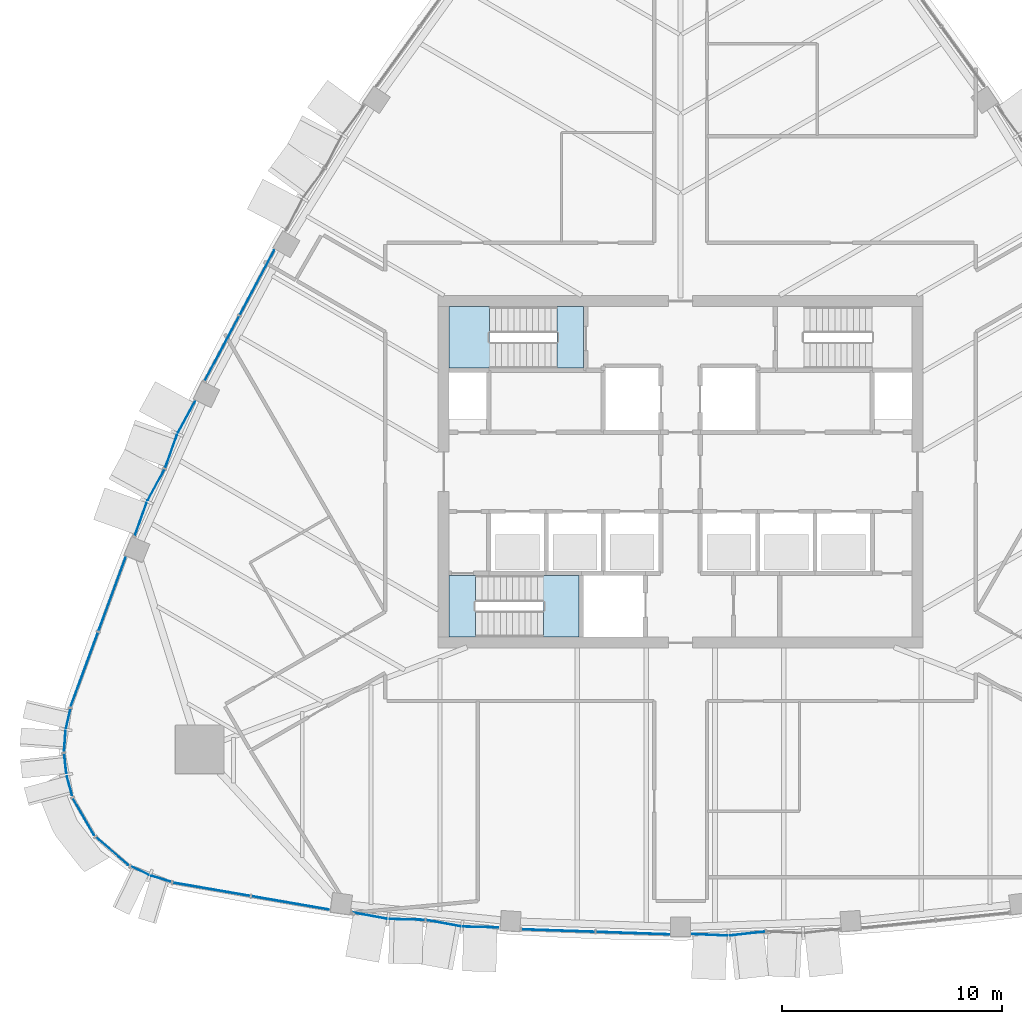
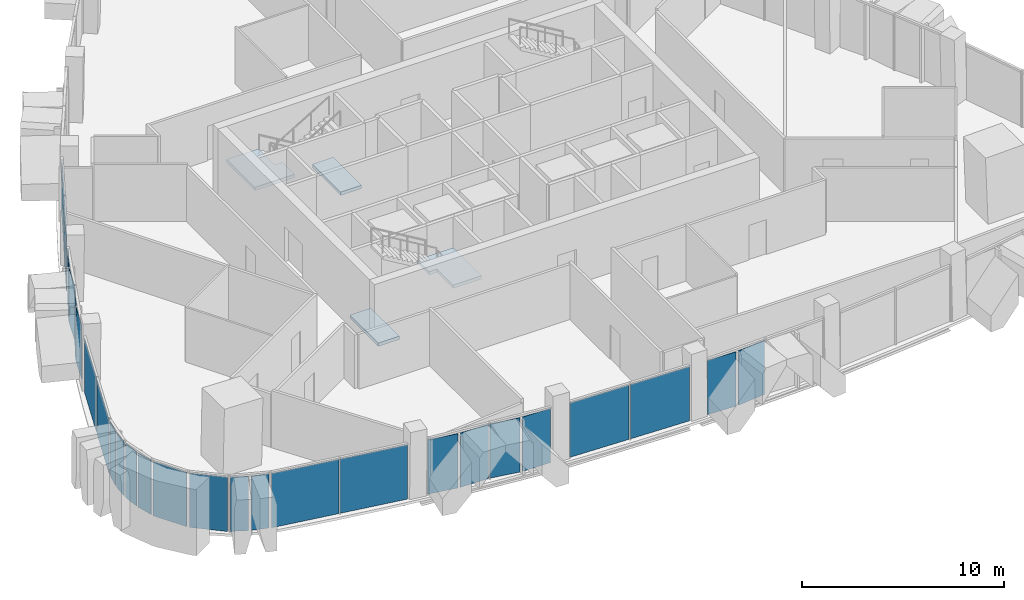
# One storey, part 8 of 18: 26 plates, 4 slabs, 14 elements without a shape of their own.
"""IFC4 building model written with IfcOpenShell, lengths in metres."""

from ifc_helpers import new_model, si_unit, direction, frame, origin, origin_2d, place, context, subcontext, project, spatial, polyline, rectangle, outline, extrude, material, layer, layer_set, type_object, element, aggregate, save


model = new_model("IFC4")

# Units and contexts
model_context = context("Model", 3, precision=1e-05, world=origin(), true_north=direction((0.0, 1.0)))
body_context = subcontext(model_context, "Body", "Model", "MODEL_VIEW")
ifc_project = project(units=[si_unit("LENGTHUNIT", "METRE"), si_unit("AREAUNIT", "SQUARE_METRE"), si_unit("VOLUMEUNIT", "CUBIC_METRE"), si_unit("PLANEANGLEUNIT", "RADIAN"), si_unit("MASSUNIT", "GRAM", prefix="KILO")], contexts=[model_context])

# Site, building, storey
site_placement = place(None, origin())
site = spatial("IfcSite", under=ifc_project, at=site_placement, CompositionType="ELEMENT")
building_placement = place(site_placement, origin())
building = spatial("IfcBuilding", under=site, at=building_placement, Name="Sierra Prisma Convention Tower", CompositionType="ELEMENT")
storey_placement = place(building_placement, frame((0.0, 0.0, 247.0)))
storey = spatial("IfcBuildingStorey", under=building, at=storey_placement, Name="L55", CompositionType="ELEMENT", Elevation=247.0)

# Curtain wall, plates
ifc_material_1 = material(Name="Aluminium and glass curtain wall", Category="aluminium")
ifc_layer_1 = layer(ifc_material_1, 0.179931640625)
ifc_layer_set_1 = layer_set([ifc_layer_1], Name="CW-1 Plain shaft curtain wall")
curtain_wall_type_1 = type_object("IfcCurtainWallType", Name="CW-1 Plain shaft curtain wall", PredefinedType="NOTDEFINED", material=ifc_layer_set_1)
curtain_wall_1_placement = place(storey_placement, origin())
curtain_wall_1 = element("IfcCurtainWall", 1, at=curtain_wall_1_placement, inside=storey, type_object=curtain_wall_type_1, Name="CW-1 S1 L55", PredefinedType="NOTDEFINED")
ifc_material_2 = material(Name="Tinted glass bronze-grey IGU", Category="glass")
ifc_layer_2 = layer(ifc_material_2, 0.028076171875)
ifc_layer_set_2 = layer_set([ifc_layer_2], Name="CW-1 glass panel")
plate_type_1 = type_object("IfcPlateType", Name="CW-1 glass panel", PredefinedType="CURTAIN_PANEL", material=ifc_layer_set_2)
plate_1_placement = place(storey_placement, frame((-21.281982421875, -18.947509765625, 0.0), z_axis=(0.0, 0.0, 1.0), x_axis=(0.985443101257, -0.170005571044, 0.0)))
plate_1 = element("IfcPlate", 2, at=plate_1_placement, type_object=plate_type_1, Name="CW-1 panel S1.1", PredefinedType="CURTAIN_PANEL", context=body_context, shape_type="SweptSolid", body=[
    extrude(rectangle(XDim=3.546142578125, YDim=0.028076171875, at=origin_2d()), origin(), (0.0, 0.0, 1.0), 3.280029296875),
])
plate_2_placement = place(storey_placement, frame((-17.718505859375, -19.562255859375, 0.0), z_axis=(0.0, 0.0, 1.0), x_axis=(0.985443101257, -0.170005571044, 0.0)))
plate_2 = element("IfcPlate", 3, at=plate_2_placement, type_object=plate_type_1, Name="CW-1 panel S1.2", PredefinedType="CURTAIN_PANEL", context=body_context, shape_type="SweptSolid", body=[
    extrude(rectangle(XDim=3.546142578125, YDim=0.028076171875, at=origin_2d()), origin(), (0.0, 0.0, 1.0), 3.280029296875),
])
aggregate(curtain_wall_1, [plate_1, plate_2])

curtain_wall_2_placement = place(storey_placement, origin())
curtain_wall_2 = element("IfcCurtainWall", 4, at=curtain_wall_2_placement, inside=storey, type_object=curtain_wall_type_1, Name="CW-1 S3 L55", PredefinedType="NOTDEFINED")
plate_3_placement = place(storey_placement, frame((-5.55908203125, -20.820068359375, 0.0), z_axis=(0.0, 0.0, 1.0), x_axis=(0.999416362633, -0.034160417179, 0.0)))
plate_3 = element("IfcPlate", 5, at=plate_3_placement, type_object=plate_type_1, Name="CW-1 panel S3.1", PredefinedType="CURTAIN_PANEL", context=body_context, shape_type="SweptSolid", body=[
    extrude(rectangle(XDim=3.31494140625, YDim=0.028076171875, at=origin_2d()), origin(), (0.0, 0.0, 1.0), 3.280029296875),
])
plate_4_placement = place(storey_placement, frame((-2.17626953125, -20.935546875, 0.0), z_axis=(0.0, 0.0, 1.0), x_axis=(0.999416362633, -0.034160417179, 0.0)))
plate_4 = element("IfcPlate", 6, at=plate_4_placement, type_object=plate_type_1, Name="CW-1 panel S3.2", PredefinedType="CURTAIN_PANEL", context=body_context, shape_type="SweptSolid", body=[
    extrude(rectangle(XDim=3.31494140625, YDim=0.028076171875, at=origin_2d()), origin(), (0.0, 0.0, 1.0), 3.280029296875),
])
aggregate(curtain_wall_2, [plate_3, plate_4])

curtain_wall_3_placement = place(storey_placement, origin())
curtain_wall_3 = element("IfcCurtainWall", 7, at=curtain_wall_3_placement, inside=storey, type_object=curtain_wall_type_1, Name="CW-1 NW4 L55", PredefinedType="NOTDEFINED")
plate_5_placement = place(storey_placement, frame((-19.21875, 8.583251953125, 0.0), z_axis=(0.0, 0.0, 1.0), x_axis=(-0.470124392235, -0.882600167587, 0.0)))
plate_5 = element("IfcPlate", 8, at=plate_5_placement, type_object=plate_type_1, Name="CW-1 panel NW4.1", PredefinedType="CURTAIN_PANEL", context=body_context, shape_type="SweptSolid", body=[
    extrude(rectangle(XDim=3.31494140625, YDim=0.028076171875, at=origin_2d()), origin(), (0.0, 0.0, 1.0), 3.280029296875),
])
plate_6_placement = place(storey_placement, frame((-20.810302734375, 5.595703125, 0.0), z_axis=(0.0, 0.0, 1.0), x_axis=(-0.470124392235, -0.882600167587, 0.0)))
plate_6 = element("IfcPlate", 9, at=plate_6_placement, type_object=plate_type_1, Name="CW-1 panel NW4.2", PredefinedType="CURTAIN_PANEL", context=body_context, shape_type="SweptSolid", body=[
    extrude(rectangle(XDim=3.31494140625, YDim=0.028076171875, at=origin_2d()), origin(), (0.0, 0.0, 1.0), 3.280029296875),
])
aggregate(curtain_wall_3, [plate_5, plate_6])

curtain_wall_4_placement = place(storey_placement, origin())
curtain_wall_4 = element("IfcCurtainWall", 10, at=curtain_wall_4_placement, inside=storey, type_object=curtain_wall_type_1, Name="CW-1 NW6 L55", PredefinedType="NOTDEFINED")
plate_7_placement = place(storey_placement, frame((-25.800537109375, -5.563720703125, 0.0), z_axis=(0.0, 0.0, 1.0), x_axis=(-0.34549240732, -0.938421545194, 0.0)))
plate_7 = element("IfcPlate", 11, at=plate_7_placement, type_object=plate_type_1, Name="CW-1 panel NW6.1", PredefinedType="CURTAIN_PANEL", context=body_context, shape_type="SweptSolid", body=[
    extrude(rectangle(XDim=3.546142578125, YDim=0.028076171875, at=origin_2d()), origin(), (0.0, 0.0, 1.0), 3.280029296875),
])
plate_8_placement = place(storey_placement, frame((-27.0498046875, -8.95703125, 0.0), z_axis=(0.0, 0.0, 1.0), x_axis=(-0.34549240732, -0.938421545194, 0.0)))
plate_8 = element("IfcPlate", 12, at=plate_8_placement, type_object=plate_type_1, Name="CW-1 panel NW6.2", PredefinedType="CURTAIN_PANEL", context=body_context, shape_type="SweptSolid", body=[
    extrude(rectangle(XDim=3.546142578125, YDim=0.028076171875, at=origin_2d()), origin(), (0.0, 0.0, 1.0), 3.280029296875),
])
aggregate(curtain_wall_4, [plate_7, plate_8])

# Curtain wall, plate
curtain_wall_5_placement = place(storey_placement, origin())
curtain_wall_5 = element("IfcCurtainWall", 13, at=curtain_wall_5_placement, inside=storey, type_object=curtain_wall_type_1, Name="CW-1 SW3 L55", PredefinedType="NOTDEFINED")
plate_9_placement = place(storey_placement, frame((-27.096923828125, -15.644287109375, 0.0), z_axis=(0.0, 0.0, 1.0), x_axis=(0.5, -0.866025403784, 0.0)))
plate_9 = element("IfcPlate", 14, at=plate_9_placement, type_object=plate_type_1, Name="CW-1 panel SW3.1", PredefinedType="CURTAIN_PANEL", context=body_context, shape_type="SweptSolid", body=[
    extrude(rectangle(XDim=1.922119140625, YDim=0.028076171875, at=origin_2d()), origin(), (0.0, 0.0, 1.0), 3.280029296875),
])
aggregate(curtain_wall_5, [plate_9])

curtain_wall_6_placement = place(storey_placement, origin())
curtain_wall_6 = element("IfcCurtainWall", 15, at=curtain_wall_6_placement, inside=storey, type_object=curtain_wall_type_1, Name="CW-1 SW4 L55", PredefinedType="NOTDEFINED")
plate_10_placement = place(storey_placement, frame((-25.799560546875, -17.20947265625, 0.0), z_axis=(0.0, 0.0, 1.0), x_axis=(0.758153585853, -0.652076023373, 0.0)))
plate_10 = element("IfcPlate", 16, at=plate_10_placement, type_object=plate_type_1, Name="CW-1 panel SW4.1", PredefinedType="CURTAIN_PANEL", context=body_context, shape_type="SweptSolid", body=[
    extrude(rectangle(XDim=1.922119140625, YDim=0.028076171875, at=origin_2d()), origin(), (0.0, 0.0, 1.0), 3.280029296875),
])
aggregate(curtain_wall_6, [plate_10])

# Curtain wall, plates
ifc_material_3 = material(Name="Aluminium and glass curtain wall", Category="aluminium")
ifc_layer_3 = layer(ifc_material_3, 0.179931640625)
ifc_layer_set_3 = layer_set([ifc_layer_3], Name="CW-2 Faceted crystal curtain wall")
curtain_wall_type_2 = type_object("IfcCurtainWallType", Name="CW-2 Faceted crystal curtain wall", PredefinedType="NOTDEFINED", material=ifc_layer_set_3)
curtain_wall_7_placement = place(storey_placement, origin())
curtain_wall_7 = element("IfcCurtainWall", 17, at=curtain_wall_7_placement, inside=storey, type_object=curtain_wall_type_2, Name="CW-2 S2 L55", PredefinedType="NOTDEFINED")
ifc_material_4 = material(Name="Tinted glass bronze-grey IGU", Category="glass")
ifc_layer_4 = layer(ifc_material_4, 0.028076171875)
ifc_layer_set_4 = layer_set([ifc_layer_4], Name="CW-2 crystal pane")
plate_type_2 = type_object("IfcPlateType", Name="CW-2 crystal pane", PredefinedType="CURTAIN_PANEL", material=ifc_layer_set_4)
plate_11_placement = place(storey_placement, frame((-14.897705078125, -20.009765625, 0.0), z_axis=(-0.180020739993, -0.983662814776, 0.0), x_axis=(0.983662814776, -0.180020739993, 0.0)))
plate_11 = element("IfcPlate", 18, at=plate_11_placement, type_object=plate_type_2, Name="CW-2 pane S2.1.1", PredefinedType="CURTAIN_PANEL", context=body_context, shape_type="SweptSolid", body=[
    extrude(outline(polyline([(0.0, 0.0), (1.58944359694705, 0.0), (1.58944359694705, 3.280029296875), (0.0, 3.280029296875), (0.0, 0.0)])), origin(), (0.0, 0.0, -1.0), 0.028076171875),
])
plate_12_placement = place(storey_placement, frame((-11.6162109375, -20.34716796875, 0.0), z_axis=(-0.023959934775, -0.999712919555, 0.0), x_axis=(-0.999712919555, 0.023959934775, 0.0)))
plate_12 = element("IfcPlate", 19, at=plate_12_placement, type_object=plate_type_2, Name="CW-2 pane S2.1.2", PredefinedType="CURTAIN_PANEL", context=body_context, shape_type="SweptSolid", body=[
    extrude(outline(polyline([(0.0, 0.0), (1.5895676619164267, 0.0), (1.5895676619164267, -3.280029296875), (0.0, -3.280029296875), (0.0, 0.0)])), origin(), (0.0, 0.0, -1.0), 0.028076171875),
])
plate_13_placement = place(storey_placement, frame((-11.54638671875, -20.3544921875, 0.0), z_axis=(-0.180020739993, -0.983662814776, 0.0), x_axis=(0.983662814776, -0.180020739993, 0.0)))
plate_13 = element("IfcPlate", 20, at=plate_13_placement, type_object=plate_type_2, Name="CW-2 pane S2.2.1", PredefinedType="CURTAIN_PANEL", context=body_context, shape_type="SweptSolid", body=[
    extrude(outline(polyline([(0.0, 0.0), (1.58944359694705, 0.0), (1.58944359694705, 3.280029296875), (0.0, 3.280029296875), (0.0, 0.0)])), origin(), (0.0, 0.0, -1.0), 0.028076171875),
])
plate_14_placement = place(storey_placement, frame((-8.264892578125, -20.69189453125, 0.0), z_axis=(-0.023959934775, -0.999712919555, 0.0), x_axis=(-0.999712919555, 0.023959934775, 0.0)))
plate_14 = element("IfcPlate", 21, at=plate_14_placement, type_object=plate_type_2, Name="CW-2 pane S2.2.2", PredefinedType="CURTAIN_PANEL", context=body_context, shape_type="SweptSolid", body=[
    extrude(outline(polyline([(0.0, 0.0), (1.5895676619164267, 0.0), (1.5895676619164267, -3.280029296875), (0.0, -3.280029296875), (0.0, 0.0)])), origin(), (0.0, 0.0, -1.0), 0.028076171875),
])
aggregate(curtain_wall_7, [plate_11, plate_12, plate_13, plate_14])

curtain_wall_8_placement = place(storey_placement, origin())
curtain_wall_8 = element("IfcCurtainWall", 22, at=curtain_wall_8_placement, inside=storey, type_object=curtain_wall_type_2, Name="CW-2 S4 L55", PredefinedType="NOTDEFINED")
plate_15_placement = place(storey_placement, frame((0.519775390625, -20.9921875, 0.0), z_axis=(-0.044319267458, -0.999017418533, 0.0), x_axis=(0.999017418533, -0.044319267458, 0.0)))
plate_15 = element("IfcPlate", 23, at=plate_15_placement, type_object=plate_type_2, Name="CW-2 pane S4.1.1", PredefinedType="CURTAIN_PANEL", context=body_context, shape_type="SweptSolid", body=[
    extrude(outline(polyline([(0.0, 0.0), (1.5975169561796596, 0.0), (1.5975169561796596, 3.280029296875), (0.0, 3.280029296875), (0.0, 0.0)])), origin(), (0.0, 0.0, -1.0), 0.028076171875),
])
plate_16_placement = place(storey_placement, frame((3.832763671875, -20.87890625, 0.0), z_axis=(0.11246054992, -0.993656190396, 0.0), x_axis=(-0.993656190396, -0.11246054992, 0.0)))
plate_16 = element("IfcPlate", 24, at=plate_16_placement, type_object=plate_type_2, Name="CW-2 pane S4.1.2", PredefinedType="CURTAIN_PANEL", context=body_context, shape_type="SweptSolid", body=[
    extrude(outline(polyline([(0.0, 0.0), (1.5977825124229352, 0.0), (1.5977825124229352, -3.280029296875001), (0.0, -3.280029296875001), (0.0, 0.0)])), origin(), (0.0, 0.0, -1.0), 0.028076171875),
])
aggregate(curtain_wall_8, [plate_15, plate_16])

curtain_wall_9_placement = place(storey_placement, origin())
curtain_wall_9 = element("IfcCurtainWall", 25, at=curtain_wall_9_placement, inside=storey, type_object=curtain_wall_type_2, Name="CW-2 NW5 L55", PredefinedType="NOTDEFINED")
plate_17_placement = place(storey_placement, frame((-22.05224609375, 3.1884765625, 0.0), z_axis=(-0.877784022973, 0.479056582267, 0.0), x_axis=(-0.479056582267, -0.877784022973, 0.0)))
plate_17 = element("IfcPlate", 26, at=plate_17_placement, type_object=plate_type_2, Name="CW-2 pane NW5.1.1", PredefinedType="CURTAIN_PANEL", context=body_context, shape_type="SweptSolid", body=[
    extrude(outline(polyline([(0.0, 0.0), (1.5895295828568012, 0.0), (1.5895295828568012, 3.280029296875), (0.0, 3.280029296875), (0.0, 0.0)])), origin(), (0.0, 0.0, -1.0), 0.028076171875),
])
plate_18_placement = place(storey_placement, frame((-23.400634765625, 0.177734375, 0.0), z_axis=(-0.94188777962, 0.335927686567, 0.0), x_axis=(0.335927686567, 0.94188777962, 0.0)))
plate_18 = element("IfcPlate", 27, at=plate_18_placement, type_object=plate_type_2, Name="CW-2 pane NW5.1.2", PredefinedType="CURTAIN_PANEL", context=body_context, shape_type="SweptSolid", body=[
    extrude(outline(polyline([(0.0, 0.0), (1.5894359656134478, 0.0), (1.5894359656134478, -3.280029296875), (0.0, -3.280029296875), (0.0, 0.0)])), origin(), (0.0, 0.0, -1.0), 0.028076171875),
])
plate_19_placement = place(storey_placement, frame((-23.42919921875, 0.11376953125, 0.0), z_axis=(-0.877719432629, 0.479174913351, 0.0), x_axis=(-0.479174913351, -0.877719432629, 0.0)))
plate_19 = element("IfcPlate", 28, at=plate_19_placement, type_object=plate_type_2, Name="CW-2 pane NW5.2.1", PredefinedType="CURTAIN_PANEL", context=body_context, shape_type="SweptSolid", body=[
    extrude(outline(polyline([(0.0, 0.0), (1.5896465544754501, 0.0), (1.5896465544754501, 3.2800292968749996), (0.0, 3.2800292968749996), (0.0, 0.0)])), origin(), (0.0, 0.0, -1.0), 0.028076171875),
])
plate_20_placement = place(storey_placement, frame((-24.77783203125, -2.89697265625, 0.0), z_axis=(-0.941905109453, 0.335879092512, 0.0), x_axis=(0.335879092512, 0.941905109453, 0.0)))
plate_20 = element("IfcPlate", 29, at=plate_20_placement, type_object=plate_type_2, Name="CW-2 pane NW5.2.2", PredefinedType="CURTAIN_PANEL", context=body_context, shape_type="SweptSolid", body=[
    extrude(outline(polyline([(0.0, 0.0), (1.5896659208002553, 0.0), (1.5896659208002553, -3.280029296875), (0.0, -3.280029296875), (0.0, 0.0)])), origin(), (0.0, 0.0, -1.0), 0.028076171875),
])
aggregate(curtain_wall_9, [plate_17, plate_18, plate_19, plate_20])

curtain_wall_10_placement = place(storey_placement, origin())
curtain_wall_10 = element("IfcCurtainWall", 30, at=curtain_wall_10_placement, inside=storey, type_object=curtain_wall_type_2, Name="CW-2 SW1 L55", PredefinedType="NOTDEFINED")
plate_21_placement = place(storey_placement, frame((-27.697021484375, -10.755615234375, 0.0), z_axis=(-0.973959244257, 0.226723158337, 0.0), x_axis=(-0.226723158337, -0.973959244257, 0.0)))
plate_21 = element("IfcPlate", 31, at=plate_21_placement, type_object=plate_type_2, Name="CW-2 pane SW1.1.1", PredefinedType="CURTAIN_PANEL", context=body_context, shape_type="SweptSolid", body=[
    extrude(outline(polyline([(0.0, 0.0), (0.8991468863186787, 0.0), (0.8991468863186787, 3.280029296875), (0.0, 3.280029296875), (0.0, 0.0)])), origin(), (0.0, 0.0, -1.0), 0.028076171875),
])
plate_22_placement = place(storey_placement, frame((-27.984619140625, -12.656005859375, 0.0), z_axis=(-0.997444892556, 0.071440088982, 0.0), x_axis=(0.071440088982, 0.997444892556, 0.0)))
plate_22 = element("IfcPlate", 32, at=plate_22_placement, type_object=plate_type_2, Name="CW-2 pane SW1.1.2", PredefinedType="CURTAIN_PANEL", context=body_context, shape_type="SweptSolid", body=[
    extrude(outline(polyline([(0.0, 0.0), (0.8987808566572887, 0.0), (0.8987808566572887, -3.280029296875), (0.0, -3.280029296875), (0.0, 0.0)])), origin(), (0.0, 0.0, -1.0), 0.028076171875),
])
aggregate(curtain_wall_10, [plate_21, plate_22])

curtain_wall_11_placement = place(storey_placement, origin())
curtain_wall_11 = element("IfcCurtainWall", 33, at=curtain_wall_11_placement, inside=storey, type_object=curtain_wall_type_2, Name="CW-2 SW2 L55", PredefinedType="NOTDEFINED")
plate_23_placement = place(storey_placement, frame((-27.982177734375, -12.794189453125, 0.0), z_axis=(-0.994139387283, -0.108105867797, 0.0), x_axis=(0.108105867797, -0.994139387283, 0.0)))
plate_23 = element("IfcPlate", 34, at=plate_23_placement, type_object=plate_type_2, Name="CW-2 pane SW2.1.1", PredefinedType="CURTAIN_PANEL", context=body_context, shape_type="SweptSolid", body=[
    extrude(outline(polyline([(0.0, 0.0), (0.8988223371190903, 0.0), (0.8988223371190903, 3.280029296875), (0.0, 3.280029296875), (0.0, 0.0)])), origin(), (0.0, 0.0, -1.0), 0.028076171875),
])
plate_24_placement = place(storey_placement, frame((-27.625244140625, -14.6826171875, 0.0), z_axis=(-0.964970351777, -0.262358952946, 0.0), x_axis=(-0.262358952946, 0.964970351777, 0.0)))
plate_24 = element("IfcPlate", 35, at=plate_24_placement, type_object=plate_type_2, Name="CW-2 pane SW2.1.2", PredefinedType="CURTAIN_PANEL", context=body_context, shape_type="SweptSolid", body=[
    extrude(outline(polyline([(0.0, 0.0), (0.8989205098658076, 0.0), (0.8989205098658076, -3.2800292968749996), (0.0, -3.2800292968749996), (0.0, 0.0)])), origin(), (0.0, 0.0, -1.0), 0.028076171875),
])
aggregate(curtain_wall_11, [plate_23, plate_24])

curtain_wall_12_placement = place(storey_placement, origin())
curtain_wall_12 = element("IfcCurtainWall", 36, at=curtain_wall_12_placement, inside=storey, type_object=curtain_wall_type_2, Name="CW-2 SW5 L55", PredefinedType="NOTDEFINED")
plate_25_placement = place(storey_placement, frame((-24.952880859375, -17.907470703125, 0.0), z_axis=(-0.436646567676, -0.899633133526, 0.0), x_axis=(0.899633133526, -0.436646567676, 0.0)))
plate_25 = element("IfcPlate", 37, at=plate_25_placement, type_object=plate_type_2, Name="CW-2 pane SW5.1.1", PredefinedType="CURTAIN_PANEL", context=body_context, shape_type="SweptSolid", body=[
    extrude(outline(polyline([(0.0, 0.0), (0.8990752568829904, 0.0), (0.8990752568829904, 3.280029296875), (0.0, 3.280029296875), (0.0, 0.0)])), origin(), (0.0, 0.0, -1.0), 0.028076171875),
])
plate_26_placement = place(storey_placement, frame((-23.163330078125, -18.608642578125, 0.0), z_axis=(-0.290859013648, -0.956765924445, 0.0), x_axis=(-0.956765924445, 0.290859013648, 0.0)))
plate_26 = element("IfcPlate", 38, at=plate_26_placement, type_object=plate_type_2, Name="CW-2 pane SW5.1.2", PredefinedType="CURTAIN_PANEL", context=body_context, shape_type="SweptSolid", body=[
    extrude(outline(polyline([(0.0, 0.0), (0.898973719589326, 0.0), (0.898973719589326, -3.280029296875), (0.0, -3.280029296875), (0.0, 0.0)])), origin(), (0.0, 0.0, -1.0), 0.028076171875),
])
aggregate(curtain_wall_12, [plate_25, plate_26])

# Stair, slab
ifc_material_5 = material(Name="Concrete C30/37", Category="concrete")
stair_type = type_object("IfcStairType", Name="Stair dog-leg 1200 RC", PredefinedType="HALF_TURN_STAIR", material=ifc_material_5)
stair_1_placement = place(storey_placement, origin())
stair_1 = element("IfcStair", 39, at=stair_1_placement, inside=storey, type_object=stair_type, Name="L55 S1", PredefinedType="HALF_TURN_STAIR")
ifc_material_6 = material(Name="Concrete C35/45", Category="concrete")
ifc_layer_5 = layer(ifc_material_6, 0.199951171875)
ifc_layer_set_5 = layer_set([ifc_layer_5], Name="Stair landing slab")
slab_type = type_object("IfcSlabType", Name="Stair landing slab", PredefinedType="LANDING", material=ifc_layer_set_5)
slab_1_placement = place(storey_placement, frame((0.0, 0.0, 1.800048828125)))
slab_1 = element("IfcSlab", 40, at=slab_1_placement, type_object=slab_type, Name="S1 landing 1", PredefinedType="LANDING", context=body_context, shape_type="SweptSolid", body=[
    extrude(outline(polyline([(-4.60009765625, -4.699951171875), (-4.60009765625, -7.5), (-6.221923828125, -7.5), (-6.221923828125, -5.89990234375), (-6.669921875, -5.89990234375), (-6.669921875, -4.699951171875), (-4.60009765625, -4.699951171875)])), origin(), (0.0, 0.0, 1.0), 0.199951171875),
])
aggregate(stair_1, [slab_1])

# Slab
slab_2_placement = place(storey_placement, frame((0.0, 0.0, -0.199951171875)))
element("IfcSlab", 41, at=slab_2_placement, inside=storey, type_object=slab_type, Name="S1 floor landing L55", PredefinedType="LANDING", context=body_context, shape_type="SweptSolid", body=[
    extrude(outline(polyline([(-10.5, -7.5), (-9.298095703125, -7.5), (-9.298095703125, -4.699951171875), (-10.5, -4.699951171875), (-10.5, -7.5)])), origin(), (0.0, 0.0, 1.0), 0.199951171875),
])

# Stair, slab
stair_2_placement = place(storey_placement, origin())
stair_2 = element("IfcStair", 42, at=stair_2_placement, inside=storey, type_object=stair_type, Name="L55 S3", PredefinedType="HALF_TURN_STAIR")
slab_3_placement = place(storey_placement, frame((0.0, 0.0, 1.800048828125)))
slab_3 = element("IfcSlab", 43, at=slab_3_placement, type_object=slab_type, Name="S3 landing 1", PredefinedType="LANDING", context=body_context, shape_type="SweptSolid", body=[
    extrude(outline(polyline([(-8.22998046875, 5.89990234375), (-8.22998046875, 4.699951171875), (-10.5, 4.699951171875), (-10.5, 7.5), (-8.677978515625, 7.5), (-8.677978515625, 5.89990234375), (-8.22998046875, 5.89990234375)])), origin(), (0.0, 0.0, 1.0), 0.199951171875),
])
aggregate(stair_2, [slab_3])

# Slab
slab_4_placement = place(storey_placement, frame((0.0, 0.0, -0.199951171875)))
element("IfcSlab", 44, at=slab_4_placement, inside=storey, type_object=slab_type, Name="S3 floor landing L55", PredefinedType="LANDING", context=body_context, shape_type="SweptSolid", body=[
    extrude(outline(polyline([(-4.39990234375, 7.5), (-5.60205078125, 7.5), (-5.60205078125, 4.699951171875), (-4.39990234375, 4.699951171875), (-4.39990234375, 7.5)])), origin(), (0.0, 0.0, 1.0), 0.199951171875),
])

save(model, "model.ifc")
